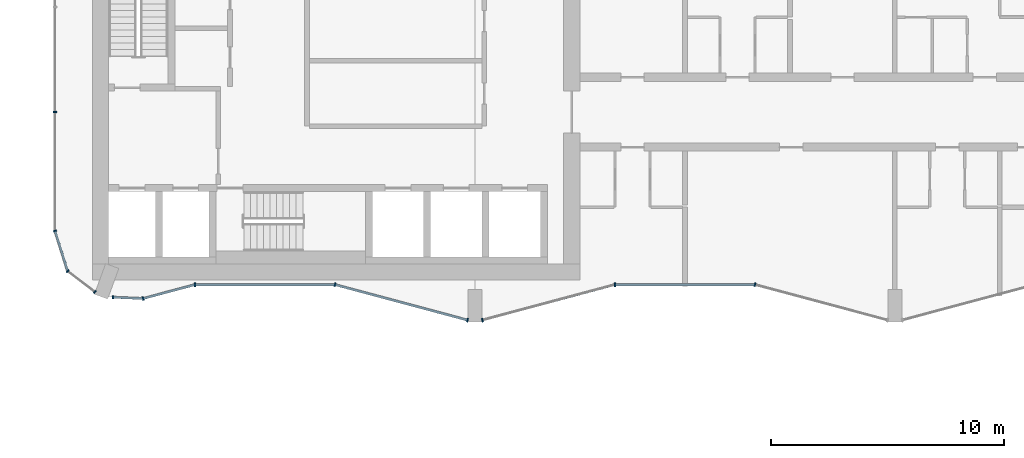
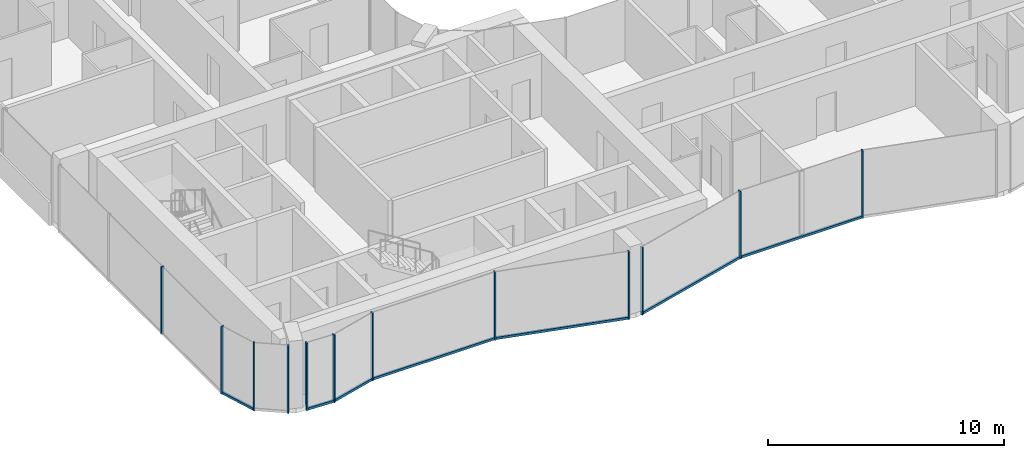
# One storey, part 2 of 22: 19 members, 10 elements without a shape of their own.
"""IFC4 building model written with IfcOpenShell, lengths in metres."""

import ifcopenshell
import ifcopenshell.guid

model = None  # the IFC model being written
_history = None  # IfcOwnerHistory: only IFC2X3 demands one
_inside = {}  # id of a spatial element -> (the spatial element, [elements in it])
_under = {}  # id of a project, library or spatial element -> (it, [spatial elements below it])
_declared = {}  # id of a project -> (the project, [libraries it declares])
_typed = {}  # id of a type object -> (the type object, [elements of that type])
_made_of = {}  # id of a material, layer set ... -> (it, [elements and type objects made of it])


def new_model(schema):
    """Start an empty IFC model of exactly this schema.

    Asked for "IFC4X3", IfcOpenShell would pick the latest addendum, in which some entities
    have other attributes; the version numbers below select the first issue.
    IFC2X3 requires an IfcOwnerHistory on every rooted entity: one is made here for all.
    """
    global model, _history
    if schema == "IFC4X3":
        model = ifcopenshell.file(schema_version=(4, 3, 0, 0))
    else:
        model = ifcopenshell.file(schema=schema)
    _inside.clear()
    _under.clear()
    _declared.clear()
    _typed.clear()
    _made_of.clear()
    _history = None
    if model.schema == "IFC2X3":
        org = make("IfcOrganization", Name="unknown")
        user = make(
            "IfcPersonAndOrganization",
            ThePerson=make("IfcPerson", FamilyName="unknown"),
            TheOrganization=org,
        )
        app = make(
            "IfcApplication",
            ApplicationDeveloper=org,
            Version="unknown",
            ApplicationFullName="unknown",
            ApplicationIdentifier="unknown",
        )
        _history = make(
            "IfcOwnerHistory",
            OwningUser=user,
            OwningApplication=app,
            ChangeAction="ADDED",
            CreationDate=0,
        )
    return model


def make(cls, **values):
    """One entity of the class cls with the attributes given. An attribute that is None is left unset."""
    return model.create_entity(
        cls, **{name: value for name, value in values.items() if value is not None}
    )


def rooted(cls, **values):
    """An entity with a GlobalId (a new one), such as an element, a storey or a relation."""
    return make(cls, GlobalId=ifcopenshell.guid.new(), OwnerHistory=_history, **values)


def si_unit(unit_type, name, prefix=None):
    """IfcSIUnit, for example si_unit("LENGTHUNIT", "METRE", prefix="MILLI")."""
    return make("IfcSIUnit", UnitType=unit_type, Prefix=prefix, Name=name)


def assignment(units):
    """IfcUnitAssignment: the units of a project."""
    return None if units is None else make("IfcUnitAssignment", Units=units)


def point(xyz):
    """IfcCartesianPoint."""
    return None if xyz is None else make("IfcCartesianPoint", Coordinates=xyz)


def direction(xyz):
    """IfcDirection."""
    return None if xyz is None else make("IfcDirection", DirectionRatios=xyz)


def frame(location, z_axis=None, x_axis=None):
    """IfcAxis2Placement3D, a coordinate frame: its origin and axes. An axis left out is left unset."""
    return make(
        "IfcAxis2Placement3D",
        Location=point(location),
        Axis=direction(z_axis),
        RefDirection=direction(x_axis),
    )


def frame_2d(location, x_axis=None):
    """IfcAxis2Placement2D, a coordinate frame in the plane: its origin and x axis."""
    return make(
        "IfcAxis2Placement2D", Location=point(location), RefDirection=direction(x_axis)
    )


def origin():
    """The frame at (0, 0, 0) with its axes left unset."""
    return frame((0.0, 0.0, 0.0))


def origin_2d():
    """The frame at (0, 0) in the plane with its x axis left unset."""
    return frame_2d((0.0, 0.0))


def place(relative_to, where):
    """IfcLocalPlacement: puts the frame where relative to a parent placement (None: the world)."""
    return make(
        "IfcLocalPlacement", PlacementRelTo=relative_to, RelativePlacement=where
    )


def context(
    kind, dimensions, precision=None, world=None, true_north=None, identifier=None
):
    """IfcGeometricRepresentationContext, for example the 3D "Model" context."""
    return make(
        "IfcGeometricRepresentationContext",
        ContextIdentifier=identifier,
        ContextType=kind,
        CoordinateSpaceDimension=dimensions,
        Precision=precision,
        WorldCoordinateSystem=world,
        TrueNorth=true_north,
    )


def subcontext(parent, identifier, kind, view, scale=None):
    """IfcGeometricRepresentationSubContext, for example "Body" below "Model"."""
    return make(
        "IfcGeometricRepresentationSubContext",
        ContextIdentifier=identifier,
        ContextType=kind,
        ParentContext=parent,
        TargetScale=scale,
        TargetView=view,
    )


def project(units=None, contexts=None):
    """IfcProject with its units and contexts."""
    return rooted(
        "IfcProject",
        Name="project",
        RepresentationContexts=contexts,
        UnitsInContext=assignment(units),
    )


def spatial(cls, under=None, at=None, **own):
    """A site, building, storey or space (cls), placed at a placement, below another one or the project."""
    s = rooted(cls, ObjectPlacement=at, **own)
    if under is not None:
        _under.setdefault(under.id(), (under, []))[1].append(s)
    return s


def profile(cls, at=None, kind="AREA", **sizes):
    """A parametric profile (cls). Its sizes go by their IFC names, for example OverallWidth=200.0."""
    return make(cls, ProfileType=kind, Position=at, **sizes)


def rectangle(**sizes):
    """IfcRectangleProfileDef."""
    return profile("IfcRectangleProfileDef", **sizes)


def extrude(swept, where, along, depth):
    """IfcExtrudedAreaSolid: the profile swept, set in the frame where, extruded along a direction by depth."""
    return make(
        "IfcExtrudedAreaSolid",
        SweptArea=swept,
        Position=where,
        ExtrudedDirection=direction(along),
        Depth=depth,
    )


def shape(context_of_items, identifier, shape_type, items):
    """IfcShapeRepresentation: the items that make up one representation, for example the "Body"."""
    return make(
        "IfcShapeRepresentation",
        ContextOfItems=context_of_items,
        RepresentationIdentifier=identifier,
        RepresentationType=shape_type,
        Items=items,
    )


def material(Name=None, Category=None):
    """IfcMaterial."""
    return make("IfcMaterial", Name=Name, Category=Category)


def layer(
    of_material, thickness, ventilated=None, Name=None, Category=None, Priority=None
):
    """IfcMaterialLayer: one layer of a wall or slab, of a material (None: an air gap)."""
    return make(
        "IfcMaterialLayer",
        Material=of_material,
        LayerThickness=thickness,
        IsVentilated=ventilated,
        Name=Name,
        Category=Category,
        Priority=Priority,
    )


def layer_set(layers, Name=None):
    """IfcMaterialLayerSet."""
    return make("IfcMaterialLayerSet", MaterialLayers=layers, LayerSetName=Name)


def material_profile(
    of_material, cross_section, Name=None, Category=None, Priority=None
):
    """IfcMaterialProfile: a cross section and its material."""
    return make(
        "IfcMaterialProfile",
        Name=Name,
        Material=of_material,
        Profile=cross_section,
        Priority=Priority,
        Category=Category,
    )


def profile_set(profiles, Name=None, composite=None):
    """IfcMaterialProfileSet."""
    return make(
        "IfcMaterialProfileSet",
        Name=Name,
        MaterialProfiles=profiles,
        CompositeProfile=composite,
    )


def made_of(thing, what):
    """Note that an element or type object is made of a material, layer set ...; save() writes the relation."""
    if what is not None:
        _made_of.setdefault(what.id(), (what, []))[1].append(thing)
    return thing


def type_object(cls, material=None, **own):
    """A type object (cls), such as IfcWallType, which elements share."""
    return made_of(rooted(cls, **own), material)


def element(
    cls,
    number,
    at=None,
    inside=None,
    cuts=None,
    type_object=None,
    material=None,
    context=None,
    identifier="Body",
    shape_type=None,
    held_by="IfcProductDefinitionShape",
    body=None,
    shapes=None,
    **own,
):
    """One element of the class cls, such as IfcWall. Its Tag is "e" and its number.

    at: its placement. inside: the storey or other place that contains it. cuts: it is an
    opening in that element (IfcRelVoidsElement). A single representation is given by context,
    identifier, shape_type and body (its items); several are given by shapes. held_by: the class
    of the entity that holds the representations. save() writes the other relations.
    """
    e = rooted(cls, Tag="e%d" % number, ObjectPlacement=at, **own)
    if body is not None:
        shapes = [shape(context, identifier, shape_type, body)]
    if shapes is not None:
        e.Representation = make(held_by, Representations=shapes)
    if inside is not None:
        _inside.setdefault(inside.id(), (inside, []))[1].append(e)
    if cuts is not None:
        rooted(
            "IfcRelVoidsElement", RelatingBuildingElement=cuts, RelatedOpeningElement=e
        )
    if type_object is not None:
        _typed.setdefault(type_object.id(), (type_object, []))[1].append(e)
    return made_of(e, material)


def aggregate(whole, parts):
    """IfcRelAggregates: a whole, such as a stair, and the parts it consists of."""
    return rooted("IfcRelAggregates", RelatingObject=whole, RelatedObjects=parts)


def save(model, path):
    """Write the relations noted so far, then the file.

    IfcRelAggregates (storeys below a building ...), IfcRelContainedInSpatialStructure (elements
    in a storey), IfcRelDefinesByType, IfcRelAssociatesMaterial and IfcRelDeclares: one each for
    every whole, place, type object, material and project.
    """
    for whole, parts in _under.values():
        aggregate(whole, parts)
    for where, things in _inside.values():
        rooted(
            "IfcRelContainedInSpatialStructure",
            RelatedElements=things,
            RelatingStructure=where,
        )
    for kind, things in _typed.values():
        rooted("IfcRelDefinesByType", RelatedObjects=things, RelatingType=kind)
    for what, things in _made_of.values():
        rooted("IfcRelAssociatesMaterial", RelatedObjects=things, RelatingMaterial=what)
    for by, libraries in _declared.values():
        rooted("IfcRelDeclares", RelatingContext=by, RelatedDefinitions=libraries)
    model.write(path)


model = new_model("IFC4")

# Units and contexts
model_context = context("Model", 3, precision=1e-05, world=origin(), true_north=direction((0.0, 1.0)))
body_context = subcontext(model_context, "Body", "Model", "MODEL_VIEW")
ifc_project = project(units=[si_unit("LENGTHUNIT", "METRE"), si_unit("AREAUNIT", "SQUARE_METRE"), si_unit("VOLUMEUNIT", "CUBIC_METRE"), si_unit("PLANEANGLEUNIT", "RADIAN"), si_unit("MASSUNIT", "GRAM", prefix="KILO")], contexts=[model_context])

# Site, building, storey
site_placement = place(None, origin())
site = spatial("IfcSite", under=ifc_project, at=site_placement, CompositionType="ELEMENT")
building_placement = place(site_placement, origin())
building = spatial("IfcBuilding", under=site, at=building_placement, Name="Plateau Cross Towers", CompositionType="ELEMENT")
storey_placement = place(building_placement, frame((0.0, 0.0, 61.800048828125)))
storey = spatial("IfcBuildingStorey", under=building, at=storey_placement, Name="L15", CompositionType="ELEMENT", Elevation=61.800048828125)

# Curtain wall, member
ifc_material_1 = material(Name="Dark low-iron glass", Category="glass")
ifc_layer_1 = layer(ifc_material_1, 0.239990234375)
ifc_layer_set_1 = layer_set([ifc_layer_1], Name="Dark low-iron glass")
curtain_wall_type_1 = type_object("IfcCurtainWallType", Name="Curtain wall flush unitised CW-B", PredefinedType="NOTDEFINED", material=ifc_layer_set_1)
curtain_wall_1_placement = place(storey_placement, origin())
curtain_wall_1 = element("IfcCurtainWall", 1, at=curtain_wall_1_placement, inside=storey, type_object=curtain_wall_type_1, Name="ENV/A/L15/A0_177", PredefinedType="NOTDEFINED")
ifc_material_2 = material(Name="Black anodised aluminium", Category="aluminium")
ifc_material_profile_1 = material_profile(ifc_material_2, rectangle(XDim=0.06005859375, YDim=0.139892578125, at=origin_2d()), Name="MULLION 60x140")
ifc_profile_set_1 = profile_set([ifc_material_profile_1], Name="Black anodised aluminium")
member_type_1 = type_object("IfcMemberType", Name="Mullion 60x140 flush unitised", PredefinedType="MULLION", material=ifc_profile_set_1)
member_1_placement = place(storey_placement, frame((0.0, 9.0, -0.25), z_axis=(0.0, 0.0, 1.0), x_axis=(0.0, -1.0, 0.0)))
member_1 = element("IfcMember", 2, at=member_1_placement, type_object=member_type_1, Name="CW-B mullion 3", PredefinedType="MULLION", context=body_context, shape_type="SweptSolid", body=[
    extrude(rectangle(XDim=0.06005859375, YDim=0.139892578125, at=origin_2d()), origin(), (0.0, 0.0, 1.0), 3.5),
])
aggregate(curtain_wall_1, [member_1])

curtain_wall_2_placement = place(storey_placement, origin())
curtain_wall_2 = element("IfcCurtainWall", 3, at=curtain_wall_2_placement, inside=storey, type_object=curtain_wall_type_1, Name="ENV/A/L15/A0_39", PredefinedType="NOTDEFINED")
member_2_placement = place(storey_placement, frame((0.0, 3.9091796875, -0.25), z_axis=(0.0, 0.0, 1.0), x_axis=(0.300686174994, -0.95372313811, 0.0)))
member_2 = element("IfcMember", 4, at=member_2_placement, type_object=member_type_1, Name="CW-B mullion 1", PredefinedType="MULLION", context=body_context, shape_type="SweptSolid", body=[
    extrude(rectangle(XDim=0.06005859375, YDim=0.139892578125, at=origin_2d()), origin(), (0.0, 0.0, 1.0), 3.5),
])

# Curtain wall, members
curtain_wall_3_placement = place(storey_placement, origin())
curtain_wall_3 = element("IfcCurtainWall", 5, at=curtain_wall_3_placement, inside=storey, type_object=curtain_wall_type_1, Name="ENV/A/L15/A5_22", PredefinedType="NOTDEFINED")
member_3_placement = place(storey_placement, frame((0.54248046875, 2.1884765625, -0.25), z_axis=(0.0, 0.0, 1.0), x_axis=(0.793315514529, -0.608810721331, 0.0)))
member_3 = element("IfcMember", 6, at=member_3_placement, type_object=member_type_1, Name="CW-B mullion 1", PredefinedType="MULLION", context=body_context, shape_type="SweptSolid", body=[
    extrude(rectangle(XDim=0.06005859375, YDim=0.139892578125, at=origin_2d()), origin(), (0.0, 0.0, 1.0), 3.5),
])
member_4_placement = place(storey_placement, frame((1.709716796875, 1.292724609375, -0.25), z_axis=(0.0, 0.0, 1.0), x_axis=(0.793315514529, -0.608810721331, 0.0)))
member_4 = element("IfcMember", 7, at=member_4_placement, type_object=member_type_1, Name="CW-B mullion 2", PredefinedType="MULLION", context=body_context, shape_type="SweptSolid", body=[
    extrude(rectangle(XDim=0.06005859375, YDim=0.139892578125, at=origin_2d()), origin(), (0.0, 0.0, 1.0), 3.5),
])
aggregate(curtain_wall_3, [member_3, member_4])

# Curtain wall, member
curtain_wall_4_placement = place(storey_placement, origin())
curtain_wall_4 = element("IfcCurtainWall", 8, at=curtain_wall_4_placement, inside=storey, type_object=curtain_wall_type_1, Name="ENV/A/L15/A25_11", PredefinedType="NOTDEFINED")
member_5_placement = place(storey_placement, frame((2.483642578125, 1.06787109375, -0.25), z_axis=(0.0, 0.0, 1.0), x_axis=(0.999043701491, -0.043722791671, 0.0)))
member_5 = element("IfcMember", 9, at=member_5_placement, type_object=member_type_1, Name="CW-B mullion 1", PredefinedType="MULLION", context=body_context, shape_type="SweptSolid", body=[
    extrude(rectangle(XDim=0.06005859375, YDim=0.139892578125, at=origin_2d()), origin(), (0.0, 0.0, 1.0), 3.5),
])

ifc_layer_2 = layer(ifc_material_1, 0.260009765625)
ifc_layer_set_2 = layer_set([ifc_layer_2], Name="Dark low-iron glass")
curtain_wall_type_2 = type_object("IfcCurtainWallType", Name="Curtain wall fluted unitised CW-A", PredefinedType="NOTDEFINED", material=ifc_layer_set_2)
curtain_wall_5_placement = place(storey_placement, origin())
curtain_wall_5 = element("IfcCurtainWall", 10, at=curtain_wall_5_placement, inside=storey, type_object=curtain_wall_type_2, Name="ENV/A/L15/A38_10", PredefinedType="NOTDEFINED")
ifc_material_profile_2 = material_profile(ifc_material_2, rectangle(XDim=0.06005859375, YDim=0.159912109375, at=origin_2d()), Name="MULLION 60x160")
ifc_profile_set_2 = profile_set([ifc_material_profile_2], Name="Black anodised aluminium")
member_type_2 = type_object("IfcMemberType", Name="Mullion 60x160 fluted unitised", PredefinedType="MULLION", material=ifc_profile_set_2)
member_6_placement = place(storey_placement, frame((3.776123046875, 1.01123046875, -0.25), z_axis=(0.0, 0.0, 1.0), x_axis=(0.965957962328, 0.258699081978, 0.0)))
member_6 = element("IfcMember", 11, at=member_6_placement, type_object=member_type_2, Name="CW-A mullion 1", PredefinedType="MULLION", context=body_context, shape_type="SweptSolid", body=[
    extrude(rectangle(XDim=0.06005859375, YDim=0.159912109375, at=origin_2d()), origin(), (0.0, 0.0, 1.0), 3.5),
])

curtain_wall_6_placement = place(storey_placement, origin())
curtain_wall_6 = element("IfcCurtainWall", 12, at=curtain_wall_6_placement, inside=storey, type_object=curtain_wall_type_2, Name="ENV/A/L15/A60_16", PredefinedType="NOTDEFINED")
member_7_placement = place(storey_placement, frame((6.0, 1.60693359375, -0.25), z_axis=(0.0, 0.0, 1.0), x_axis=(1.0, 0.0, 0.0)))
member_7 = element("IfcMember", 13, at=member_7_placement, type_object=member_type_2, Name="CW-A mullion 1", PredefinedType="MULLION", context=body_context, shape_type="SweptSolid", body=[
    extrude(rectangle(XDim=0.06005859375, YDim=0.159912109375, at=origin_2d()), origin(), (0.0, 0.0, 1.0), 3.5),
])

# Curtain wall, members
curtain_wall_7_placement = place(storey_placement, origin())
curtain_wall_7 = element("IfcCurtainWall", 14, at=curtain_wall_7_placement, inside=storey, type_object=curtain_wall_type_2, Name="ENV/A/L15/A120_16", PredefinedType="NOTDEFINED")
member_8_placement = place(storey_placement, frame((12.0, 1.60693359375, -0.25), z_axis=(0.0, 0.0, 1.0), x_axis=(0.965957983404, -0.258699003279, 0.0)))
member_8 = element("IfcMember", 15, at=member_8_placement, type_object=member_type_2, Name="CW-A mullion 1", PredefinedType="MULLION", context=body_context, shape_type="SweptSolid", body=[
    extrude(rectangle(XDim=0.06005859375, YDim=0.159912109375, at=origin_2d()), origin(), (0.0, 0.0, 1.0), 3.5),
])
member_9_placement = place(storey_placement, frame((17.68212890625, 0.085205078125, -0.25), z_axis=(0.0, 0.0, 1.0), x_axis=(0.965957983404, -0.258699003279, 0.0)))
member_9 = element("IfcMember", 16, at=member_9_placement, type_object=member_type_2, Name="CW-A mullion 2", PredefinedType="MULLION", context=body_context, shape_type="SweptSolid", body=[
    extrude(rectangle(XDim=0.06005859375, YDim=0.159912109375, at=origin_2d()), origin(), (0.0, 0.0, 1.0), 3.5),
])

# Curtain wall, member
curtain_wall_8_placement = place(storey_placement, origin())
curtain_wall_8 = element("IfcCurtainWall", 17, at=curtain_wall_8_placement, inside=storey, type_object=curtain_wall_type_2, Name="ENV/A/L15/A183_1", PredefinedType="NOTDEFINED")
member_10_placement = place(storey_placement, frame((18.31787109375, 0.085205078125, -0.25), z_axis=(0.0, 0.0, 1.0), x_axis=(0.965957983404, 0.258699003279, 0.0)))
member_10 = element("IfcMember", 18, at=member_10_placement, type_object=member_type_2, Name="CW-A mullion 1", PredefinedType="MULLION", context=body_context, shape_type="SweptSolid", body=[
    extrude(rectangle(XDim=0.06005859375, YDim=0.159912109375, at=origin_2d()), origin(), (0.0, 0.0, 1.0), 3.5),
])

curtain_wall_9_placement = place(storey_placement, origin())
curtain_wall_9 = element("IfcCurtainWall", 19, at=curtain_wall_9_placement, inside=storey, type_object=curtain_wall_type_2, Name="ENV/A/L15/A240_16", PredefinedType="NOTDEFINED")
member_11_placement = place(storey_placement, frame((24.0, 1.60693359375, -0.25), z_axis=(0.0, 0.0, 1.0), x_axis=(1.0, 0.0, 0.0)))
member_11 = element("IfcMember", 20, at=member_11_placement, type_object=member_type_2, Name="CW-A mullion 1", PredefinedType="MULLION", context=body_context, shape_type="SweptSolid", body=[
    extrude(rectangle(XDim=0.06005859375, YDim=0.159912109375, at=origin_2d()), origin(), (0.0, 0.0, 1.0), 3.5),
])

curtain_wall_10_placement = place(storey_placement, origin())
curtain_wall_10 = element("IfcCurtainWall", 21, at=curtain_wall_10_placement, inside=storey, type_object=curtain_wall_type_2, Name="ENV/A/L15/A300_16", PredefinedType="NOTDEFINED")
member_12_placement = place(storey_placement, frame((30.0, 1.60693359375, -0.25), z_axis=(0.0, 0.0, 1.0), x_axis=(0.965957983404, -0.258699003279, 0.0)))
member_12 = element("IfcMember", 22, at=member_12_placement, type_object=member_type_2, Name="CW-A mullion 1", PredefinedType="MULLION", context=body_context, shape_type="SweptSolid", body=[
    extrude(rectangle(XDim=0.06005859375, YDim=0.159912109375, at=origin_2d()), origin(), (0.0, 0.0, 1.0), 3.5),
])
aggregate(curtain_wall_10, [member_12])

# Member
ifc_material_profile_3 = material_profile(ifc_material_2, rectangle(XDim=0.10009765625, YDim=0.1201171875, at=origin_2d()), Name="TRANSOM 100x120")
ifc_profile_set_3 = profile_set([ifc_material_profile_3], Name="Black anodised aluminium")
member_type_3 = type_object("IfcMemberType", Name="Transom 100x120 flush unitised", PredefinedType="USERDEFINED", material=ifc_profile_set_3)
member_13_placement = place(storey_placement, frame((0.0, 3.9091796875, -0.18994140625), z_axis=(0.30067799945, -0.953725715626, 0.0), x_axis=(0.953725715626, 0.30067799945, 0.0)))
member_13 = element("IfcMember", 23, at=member_13_placement, type_object=member_type_3, Name="CW-B transom", ObjectType="TRANSOM", PredefinedType="USERDEFINED", context=body_context, shape_type="SweptSolid", body=[
    extrude(rectangle(XDim=0.10009765625, YDim=0.1201171875, at=origin_2d()), origin(), (0.0, 0.0, 1.0), 1.80419921875),
])

aggregate(curtain_wall_2, [member_2, member_13])

member_14_placement = place(storey_placement, frame((2.483642578125, 1.06787109375, -0.18994140625), z_axis=(0.999041144614, -0.043781175963, 0.0), x_axis=(0.043781175963, 0.999041144614, 0.0)))
member_14 = element("IfcMember", 24, at=member_14_placement, type_object=member_type_3, Name="CW-B transom", ObjectType="TRANSOM", PredefinedType="USERDEFINED", context=body_context, shape_type="SweptSolid", body=[
    extrude(rectangle(XDim=0.10009765625, YDim=0.1201171875, at=origin_2d()), origin(), (0.0, 0.0, 1.0), 1.293701171875),
])

aggregate(curtain_wall_4, [member_5, member_14])

ifc_material_profile_4 = material_profile(ifc_material_2, rectangle(XDim=0.10009765625, YDim=0.1201171875, at=origin_2d()), Name="TRANSOM 100x120")
ifc_profile_set_4 = profile_set([ifc_material_profile_4], Name="Black anodised aluminium")
member_type_4 = type_object("IfcMemberType", Name="Transom 100x120 fluted unitised", PredefinedType="USERDEFINED", material=ifc_profile_set_4)
member_15_placement = place(storey_placement, frame((3.776123046875, 1.01123046875, -0.18994140625), z_axis=(0.965945685136, 0.258744919501, 0.0), x_axis=(-0.258744919501, 0.965945685136, 0.0)))
member_15 = element("IfcMember", 25, at=member_15_placement, type_object=member_type_4, Name="CW-A transom", ObjectType="TRANSOM", PredefinedType="USERDEFINED", context=body_context, shape_type="SweptSolid", body=[
    extrude(rectangle(XDim=0.10009765625, YDim=0.1201171875, at=origin_2d()), origin(), (0.0, 0.0, 1.0), 2.30224609375),
])

aggregate(curtain_wall_5, [member_6, member_15])

member_16_placement = place(storey_placement, frame((6.0, 1.60693359375, -0.18994140625), z_axis=(1.0, 0.0, 0.0), x_axis=(0.0, 1.0, 0.0)))
member_16 = element("IfcMember", 26, at=member_16_placement, type_object=member_type_4, Name="CW-A transom", ObjectType="TRANSOM", PredefinedType="USERDEFINED", context=body_context, shape_type="SweptSolid", body=[
    extrude(rectangle(XDim=0.10009765625, YDim=0.1201171875, at=origin_2d()), origin(), (0.0, 0.0, 1.0), 6.0),
])

aggregate(curtain_wall_6, [member_7, member_16])

member_17_placement = place(storey_placement, frame((12.0, 1.60693359375, -0.18994140625), z_axis=(0.965959534794, -0.258693210465, 0.0), x_axis=(0.258693210465, 0.965959534794, 0.0)))
member_17 = element("IfcMember", 27, at=member_17_placement, type_object=member_type_4, Name="CW-A transom", ObjectType="TRANSOM", PredefinedType="USERDEFINED", context=body_context, shape_type="SweptSolid", body=[
    extrude(rectangle(XDim=0.10009765625, YDim=0.1201171875, at=origin_2d()), origin(), (0.0, 0.0, 1.0), 5.88232421875),
])

aggregate(curtain_wall_7, [member_8, member_9, member_17])

member_18_placement = place(storey_placement, frame((18.31787109375, 0.085205078125, -0.18994140625), z_axis=(0.965959534794, 0.258693210465, 0.0), x_axis=(-0.258693210465, 0.965959534794, 0.0)))
member_18 = element("IfcMember", 28, at=member_18_placement, type_object=member_type_4, Name="CW-A transom", ObjectType="TRANSOM", PredefinedType="USERDEFINED", context=body_context, shape_type="SweptSolid", body=[
    extrude(rectangle(XDim=0.10009765625, YDim=0.1201171875, at=origin_2d()), origin(), (0.0, 0.0, 1.0), 5.88232421875),
])

aggregate(curtain_wall_8, [member_10, member_18])

member_19_placement = place(storey_placement, frame((24.0, 1.60693359375, -0.18994140625), z_axis=(1.0, 0.0, 0.0), x_axis=(0.0, 1.0, 0.0)))
member_19 = element("IfcMember", 29, at=member_19_placement, type_object=member_type_4, Name="CW-A transom", ObjectType="TRANSOM", PredefinedType="USERDEFINED", context=body_context, shape_type="SweptSolid", body=[
    extrude(rectangle(XDim=0.10009765625, YDim=0.1201171875, at=origin_2d()), origin(), (0.0, 0.0, 1.0), 6.0),
])

aggregate(curtain_wall_9, [member_11, member_19])

save(model, "model.ifc")
